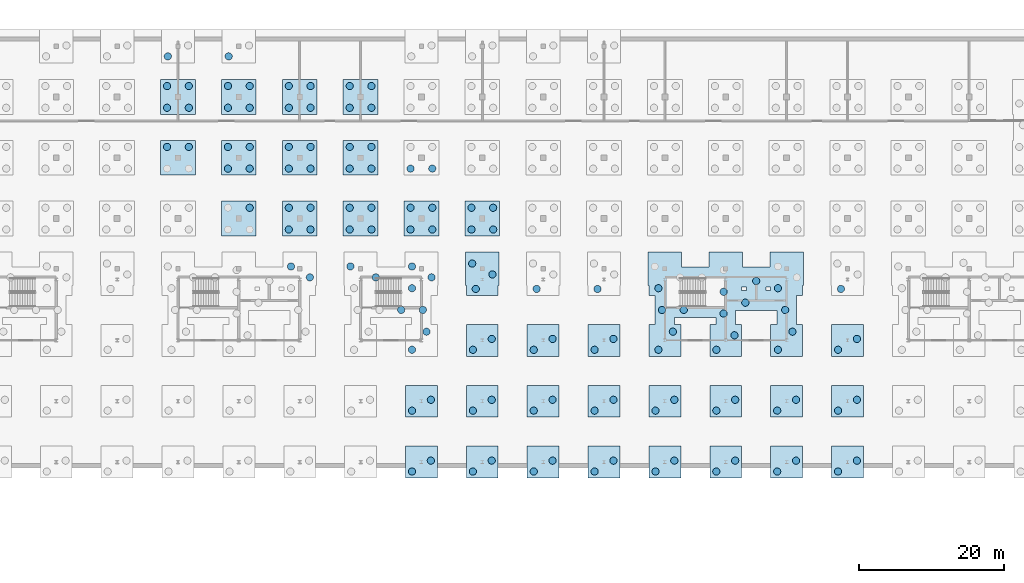
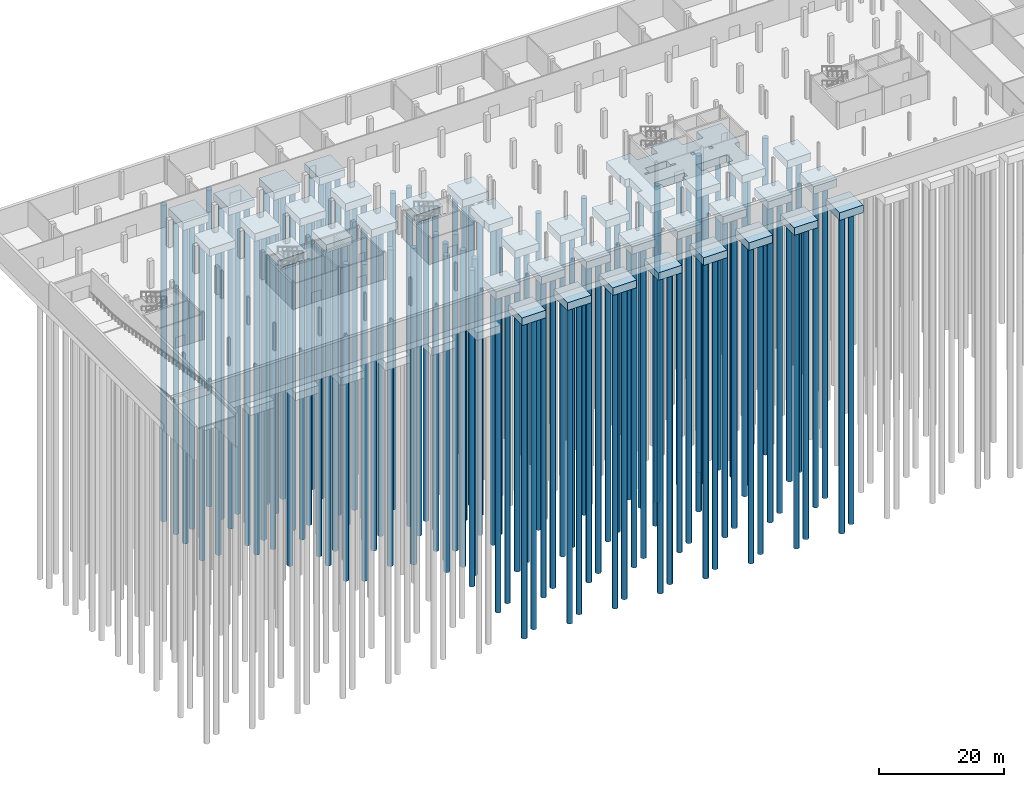
# One storey, part 2 of 29: 123 piles, 35 footings.
"""IFC4 building model written with IfcOpenShell, lengths in metres."""

from ifc_helpers import new_model, si_unit, direction, frame, origin, origin_2d, place, context, subcontext, project, spatial, polyline, circle, outline, extrude, material, type_object, element, save


model = new_model("IFC4")

# Units and contexts
model_context = context("Model", 3, precision=1e-05, world=origin(), true_north=direction((0.0, 1.0)))
body_context = subcontext(model_context, "Body", "Model", "MODEL_VIEW")
ifc_project = project(units=[si_unit("LENGTHUNIT", "METRE"), si_unit("AREAUNIT", "SQUARE_METRE"), si_unit("VOLUMEUNIT", "CUBIC_METRE"), si_unit("PLANEANGLEUNIT", "RADIAN"), si_unit("MASSUNIT", "GRAM", prefix="KILO")], contexts=[model_context])

# Site, building, storey
site_placement = place(None, origin())
site = spatial("IfcSite", under=ifc_project, at=site_placement, CompositionType="ELEMENT")
building_placement = place(site_placement, origin())
building = spatial("IfcBuilding", under=site, at=building_placement, Name="Cresset Court Congress Hotel", CompositionType="ELEMENT")
storey_placement = place(building_placement, frame((0.0, 0.0, -5.39990234375)))
storey = spatial("IfcBuildingStorey", under=building, at=storey_placement, Name="B1", CompositionType="ELEMENT", Elevation=-5.39990234375)

# Piles
ifc_material_1 = material(Name="Concrete C35", Category="concrete")
pile_type = type_object("IfcPileType", Name="Bored pile D1000", PredefinedType="BORED", material=ifc_material_1)
for number, where, z_axis, x_axis, name in (
    (1, (32.10009765625, 43.5, -2.60009765625), (0.0, 0.0, -1.0), (1.0, 0.0, 0.0), "Pile 022-3"),
    (2, (35.10009765625, 43.5, -2.60009765625), (0.0, 0.0, -1.0), (1.0, 0.0, 0.0), "Pile 022-4"),
    (3, (32.10009765625, 48.89990234375, -2.60009765625), (0.0, 0.0, -1.0), (1.0, 0.0, 0.0), "Pile 023-1"),
    (4, (35.10009765625, 48.89990234375, -2.60009765625), (0.0, 0.0, -1.0), (1.0, 0.0, 0.0), "Pile 023-2"),
    (5, (32.10009765625, 51.89990234375, -2.60009765625), (0.0, 0.0, -1.0), (1.0, 0.0, 0.0), "Pile 023-3"),
    (6, (35.10009765625, 51.89990234375, -2.60009765625), (0.0, 0.0, -1.0), (1.0, 0.0, 0.0), "Pile 023-4"),
    (7, (51.800048828125, 25.5, -2.60009765625), (0.0, 0.0, -1.0), (1.0, 0.0, 0.0), "Pile 024-18"),
    (8, (49.199951171875, 27.0, -2.60009765625), (0.0, 0.0, -1.0), (1.0, 0.0, 0.0), "Pile 024-21"),
    (9, (32.199951171875, 56.0, -2.60009765625), (0.0, 0.0, -1.0), (1.0, 0.0, 0.0), "Pile 025-1"),
    (10, (43.5, 35.10009765625, -2.60009765625), (0.0, 0.0, -1.0), (1.0, 0.0, 0.0), "Pile 028-4"),
    (11, (40.5, 40.5, -2.60009765625), (0.0, 0.0, -1.0), (1.0, 0.0, 0.0), "Pile 029-1"),
    (12, (43.5, 40.5, -2.60009765625), (0.0, 0.0, -1.0), (1.0, 0.0, 0.0), "Pile 029-2"),
    (13, (40.5, 43.5, -2.60009765625), (0.0, 0.0, -1.0), (1.0, 0.0, 0.0), "Pile 029-3"),
    (14, (43.5, 43.5, -2.60009765625), (0.0, 0.0, -1.0), (1.0, 0.0, 0.0), "Pile 029-4"),
    (15, (40.5, 48.89990234375, -2.60009765625), (0.0, 0.0, -1.0), (1.0, 0.0, 0.0), "Pile 030-1"),
    (16, (43.5, 48.89990234375, -2.60009765625), (0.0, 0.0, -1.0), (1.0, 0.0, 0.0), "Pile 030-2"),
    (17, (40.5, 51.89990234375, -2.60009765625), (0.0, 0.0, -1.0), (1.0, 0.0, 0.0), "Pile 030-3"),
    (18, (43.5, 51.89990234375, -2.60009765625), (0.0, 0.0, -1.0), (1.0, 0.0, 0.0), "Pile 030-4"),
    (19, (40.60009765625, 56.0, -2.60009765625), (0.0, 0.0, -1.0), (1.0, 0.0, 0.0), "Pile 031-1"),
    (20, (48.89990234375, 32.10009765625, -2.60009765625), (0.0, 0.0, -1.0), (1.0, 0.0, 0.0), "Pile 034-1"),
    (21, (51.89990234375, 32.10009765625, -2.60009765625), (0.0, 0.0, -1.0), (1.0, 0.0, 0.0), "Pile 034-2"),
    (22, (48.89990234375, 35.10009765625, -2.60009765625), (0.0, 0.0, -1.0), (1.0, 0.0, 0.0), "Pile 034-3"),
    (23, (51.89990234375, 35.10009765625, -2.60009765625), (0.0, 0.0, -1.0), (1.0, 0.0, 0.0), "Pile 034-4"),
    (24, (48.89990234375, 40.5, -2.60009765625), (0.0, 0.0, -1.0), (1.0, 0.0, 0.0), "Pile 035-1"),
    (25, (51.89990234375, 40.5, -2.60009765625), (0.0, 0.0, -1.0), (1.0, 0.0, 0.0), "Pile 035-2"),
    (26, (48.89990234375, 43.5, -2.60009765625), (0.0, 0.0, -1.0), (1.0, 0.0, 0.0), "Pile 035-3"),
    (27, (51.89990234375, 43.5, -2.60009765625), (0.0, 0.0, -1.0), (1.0, 0.0, 0.0), "Pile 035-4"),
    (28, (48.89990234375, 48.89990234375, -2.60009765625), (0.0, 0.0, -1.0), (1.0, 0.0, 0.0), "Pile 036-1"),
    (29, (51.89990234375, 48.89990234375, -2.60009765625), (0.0, 0.0, -1.0), (1.0, 0.0, 0.0), "Pile 036-2"),
    (30, (48.89990234375, 51.89990234375, -2.60009765625), (0.0, 0.0, -1.0), (1.0, 0.0, 0.0), "Pile 036-3"),
    (31, (51.89990234375, 51.89990234375, -2.60009765625), (0.0, 0.0, -1.0), (1.0, 0.0, 0.0), "Pile 036-4"),
    (32, (57.300048828125, 32.10009765625, -2.60009765625), (0.0, 0.0, -1.0), (1.0, 0.0, 0.0), "Pile 039-1"),
    (33, (60.300048828125, 32.10009765625, -2.60009765625), (0.0, 0.0, -1.0), (1.0, 0.0, 0.0), "Pile 039-2"),
    (34, (57.300048828125, 35.10009765625, -2.60009765625), (0.0, 0.0, -1.0), (1.0, 0.0, 0.0), "Pile 039-3"),
    (35, (60.300048828125, 35.10009765625, -2.60009765625), (0.0, 0.0, -1.0), (1.0, 0.0, 0.0), "Pile 039-4"),
    (36, (57.300048828125, 40.5, -2.60009765625), (0.0, 0.0, -1.0), (1.0, 0.0, 0.0), "Pile 040-1"),
    (37, (60.300048828125, 40.5, -2.60009765625), (0.0, 0.0, -1.0), (1.0, 0.0, 0.0), "Pile 040-2"),
    (38, (57.300048828125, 43.5, -2.60009765625), (0.0, 0.0, -1.0), (1.0, 0.0, 0.0), "Pile 040-3"),
    (39, (60.300048828125, 43.5, -2.60009765625), (0.0, 0.0, -1.0), (1.0, 0.0, 0.0), "Pile 040-4"),
    (40, (57.300048828125, 48.89990234375, -2.60009765625), (0.0, 0.0, -1.0), (1.0, 0.0, 0.0), "Pile 041-1"),
    (41, (60.300048828125, 48.89990234375, -2.60009765625), (0.0, 0.0, -1.0), (1.0, 0.0, 0.0), "Pile 041-2"),
    (42, (57.300048828125, 51.89990234375, -2.60009765625), (0.0, 0.0, -1.0), (1.0, 0.0, 0.0), "Pile 041-3"),
    (43, (60.300048828125, 51.89990234375, -2.60009765625), (0.0, 0.0, -1.0), (1.0, 0.0, 0.0), "Pile 041-4"),
    (44, (65.89990234375, 15.5, -2.60009765625), (0.0, 0.0, -1.0), (1.0, 0.0, 0.0), "Pile 042-2"),
    (45, (67.89990234375, 18.0, -2.60009765625), (0.0, 0.0, -1.0), (1.0, 0.0, 0.0), "Pile 042-4"),
    (46, (64.39990234375, 21.0, -2.60009765625), (0.0, 0.0, -1.0), (1.0, 0.0, 0.0), "Pile 042-7"),
    (47, (67.39990234375, 21.0, -2.60009765625), (0.0, 0.0, -1.0), (1.0, 0.0, 0.0), "Pile 042-8"),
    (48, (65.89990234375, 24.0, -2.60009765625), (0.0, 0.0, -1.0), (1.0, 0.0, 0.0), "Pile 042-10"),
    (49, (60.89990234375, 25.5, -2.60009765625), (0.0, 0.0, -1.0), (1.0, 0.0, 0.0), "Pile 042-11"),
    (50, (68.60009765625, 25.5, -2.60009765625), (0.0, 0.0, -1.0), (1.0, 0.0, 0.0), "Pile 042-12"),
    (51, (57.39990234375, 27.0, -2.60009765625), (0.0, 0.0, -1.0), (1.0, 0.0, 0.0), "Pile 042-13"),
    (52, (65.89990234375, 27.0, -2.60009765625), (0.0, 0.0, -1.0), (1.0, 0.0, 0.0), "Pile 042-14"),
    (53, (65.699951171875, 32.10009765625, -2.60009765625), (0.0, 0.0, -1.0), (1.0, 0.0, 0.0), "Pile 045-1"),
    (54, (68.699951171875, 32.10009765625, -2.60009765625), (0.0, 0.0, -1.0), (1.0, 0.0, 0.0), "Pile 045-2"),
    (55, (65.699951171875, 35.10009765625, -2.60009765625), (0.0, 0.0, -1.0), (1.0, 0.0, 0.0), "Pile 045-3"),
    (56, (68.699951171875, 35.10009765625, -2.60009765625), (0.0, 0.0, -1.0), (1.0, 0.0, 0.0), "Pile 045-4"),
    (57, (65.699951171875, 40.5, -2.60009765625), (0.0, 0.0, -1.0), (1.0, 0.0, 0.0), "Pile 046-1"),
    (58, (68.699951171875, 40.5, -2.60009765625), (0.0, 0.0, -1.0), (1.0, 0.0, 0.0), "Pile 046-2"),
    (59, (65.89990234375, -1.300048828125, -2.60009765625), (0.0, 0.0, -1.0), (1.0, 0.0, 0.0), "Pile 049-1"),
    (60, (68.5, 0.199951171875, -2.60009765625), (0.0, 0.0, -1.0), (1.0, 0.0, 0.0), "Pile 049-2"),
    (61, (65.89990234375, 7.10009765625, -2.60009765625), (0.0, 0.0, -1.0), (1.0, 0.0, 0.0), "Pile 050-1"),
    (62, (68.5, 8.60009765625, -2.60009765625), (0.0, 0.0, -1.0), (1.0, 0.0, 0.0), "Pile 050-2"),
    (63, (74.10009765625, 32.10009765625, -2.60009765625), (0.0, 0.0, -1.0), (1.0, 0.0, 0.0), "Pile 051-1"),
    (64, (77.10009765625, 32.10009765625, -2.60009765625), (0.0, 0.0, -1.0), (1.0, 0.0, 0.0), "Pile 051-2"),
    (65, (74.10009765625, 35.10009765625, -2.60009765625), (0.0, 0.0, -1.0), (1.0, 0.0, 0.0), "Pile 051-3"),
    (66, (77.10009765625, 35.10009765625, -2.60009765625), (0.0, 0.0, -1.0), (1.0, 0.0, 0.0), "Pile 051-4"),
    (67, (74.699951171875, 23.89990234375, -2.60009765625), (0.0, 0.0, -1.0), (1.0, 0.0, 0.0), "Pile 054-1"),
    (68, (77.0, 25.89990234375, -2.60009765625), (0.0, 0.0, -1.0), (1.0, 0.0, 0.0), "Pile 054-2"),
    (69, (74.199951171875, 27.39990234375, -2.60009765625), (0.0, 0.0, -1.0), (1.0, 0.0, 0.0), "Pile 054-3"),
    (70, (74.300048828125, -1.300048828125, -2.60009765625), (0.0, 0.0, -1.0), (1.0, 0.0, 0.0), "Pile 056-1"),
    (71, (76.89990234375, 0.199951171875, -2.60009765625), (0.0, 0.0, -1.0), (1.0, 0.0, 0.0), "Pile 056-2"),
    (72, (74.300048828125, 7.10009765625, -2.60009765625), (0.0, 0.0, -1.0), (1.0, 0.0, 0.0), "Pile 057-1"),
    (73, (76.89990234375, 8.60009765625, -2.60009765625), (0.0, 0.0, -1.0), (1.0, 0.0, 0.0), "Pile 057-2"),
    (74, (74.300048828125, 15.5, -2.60009765625), (0.0, 0.0, -1.0), (1.0, 0.0, 0.0), "Pile 058-1"),
    (75, (76.89990234375, 17.0, -2.60009765625), (0.0, 0.0, -1.0), (1.0, 0.0, 0.0), "Pile 058-2"),
    (76, (83.10009765625, 23.89990234375, -2.60009765625), (0.0, 0.0, -1.0), (1.0, 0.0, 0.0), "Pile 062-1"),
    (77, (82.699951171875, -1.300048828125, -2.60009765625), (0.0, 0.0, -1.0), (1.0, 0.0, 0.0), "Pile 064-1"),
    (78, (85.300048828125, 0.199951171875, -2.60009765625), (0.0, 0.0, -1.0), (1.0, 0.0, 0.0), "Pile 064-2"),
    (79, (82.699951171875, 7.10009765625, -2.60009765625), (0.0, 0.0, -1.0), (1.0, 0.0, 0.0), "Pile 065-1"),
    (80, (85.300048828125, 8.60009765625, -2.60009765625), (0.0, 0.0, -1.0), (1.0, 0.0, 0.0), "Pile 065-2"),
    (81, (82.699951171875, 15.5, -2.60009765625), (0.0, 0.0, -1.0), (1.0, 0.0, 0.0), "Pile 066-1"),
    (82, (85.300048828125, 17.0, -2.60009765625), (0.0, 0.0, -1.0), (1.0, 0.0, 0.0), "Pile 066-2"),
    (83, (91.5, 23.89990234375, -2.60009765625), (0.0, 0.0, -1.0), (1.0, 0.0, 0.0), "Pile 070-1"),
    (84, (91.10009765625, -1.300048828125, -2.60009765625), (0.0, 0.0, -1.0), (1.0, 0.0, 0.0), "Pile 072-1"),
    (85, (93.699951171875, 0.199951171875, -2.60009765625), (0.0, 0.0, -1.0), (1.0, 0.0, 0.0), "Pile 072-2"),
    (86, (91.10009765625, 7.10009765625, -2.60009765625), (0.0, 0.0, -1.0), (1.0, 0.0, 0.0), "Pile 073-1"),
    (87, (93.699951171875, 8.60009765625, -2.60009765625), (0.0, 0.0, -1.0), (1.0, 0.0, 0.0), "Pile 073-2"),
    (88, (91.10009765625, 15.5, -2.60009765625), (0.0, 0.0, -1.0), (1.0, 0.0, 0.0), "Pile 074-1"),
    (89, (93.699951171875, 17.0, -2.60009765625), (0.0, 0.0, -1.0), (1.0, 0.0, 0.0), "Pile 074-2"),
    (90, (99.89990234375, 15.5, -2.60009765625), (0.0, 0.0, -1.0), (1.0, 0.0, 0.0), "Pile 078-1"),
    (91, (107.89990234375, 15.5, -2.60009765625), (0.0, 0.0, -1.0), (1.0, 0.0, 0.0), "Pile 078-2"),
    (92, (116.39990234375, 15.5, -2.60009765625), (0.0, 0.0, -1.0), (1.0, 0.0, 0.0), "Pile 078-3"),
    (93, (110.39990234375, 17.5, -2.60009765625), (0.0, 0.0, -1.0), (1.0, 0.0, 0.0), "Pile 078-4"),
    (94, (101.89990234375, 18.0, -2.60009765625), (0.0, 0.0, -1.0), (1.0, 0.0, 0.0), "Pile 078-5"),
    (95, (118.39990234375, 18.0, -2.60009765625), (0.0, 0.0, -1.0), (1.0, 0.0, 0.0), "Pile 078-6"),
    (96, (108.89990234375, 20.5, -2.60009765625), (0.0, 0.0, -1.0), (1.0, 0.0, 0.0), "Pile 078-7"),
    (97, (100.39990234375, 21.0, -2.60009765625), (0.0, 0.0, -1.0), (1.0, 0.0, 0.0), "Pile 078-8"),
    (98, (103.39990234375, 21.0, -2.60009765625), (0.0, 0.0, -1.0), (1.0, 0.0, 0.0), "Pile 078-9"),
    (99, (117.39990234375, 21.0, -2.60009765625), (0.0, 0.0, -1.0), (1.0, 0.0, 0.0), "Pile 078-10"),
    (100, (111.89990234375, 22.0, -2.60009765625), (0.0, 0.0, -1.0), (1.0, 0.0, 0.0), "Pile 078-11"),
    (101, (108.89990234375, 23.5, -2.60009765625), (0.0, 0.0, -1.0), (1.0, 0.0, 0.0), "Pile 078-12"),
    (102, (99.89990234375, 24.0, -2.60009765625), (0.0, 0.0, -1.0), (1.0, 0.0, 0.0), "Pile 078-13"),
    (103, (116.39990234375, 24.0, -2.60009765625), (0.0, 0.0, -1.0), (1.0, 0.0, 0.0), "Pile 078-14"),
    (104, (113.39990234375, 25.0, -2.60009765625), (0.0, 0.0, -1.0), (1.0, 0.0, 0.0), "Pile 078-15"),
    (105, (99.5, -1.300048828125, -2.60009765625), (0.0, 0.0, -1.0), (1.0, 0.0, 0.0), "Pile 079-1"),
    (106, (102.10009765625, 0.199951171875, -2.60009765625), (0.0, 0.0, -1.0), (1.0, 0.0, 0.0), "Pile 079-2"),
    (107, (99.5, 7.10009765625, -2.60009765625), (0.0, 0.0, -1.0), (1.0, 0.0, 0.0), "Pile 080-1"),
    (108, (102.10009765625, 8.60009765625, -2.60009765625), (0.0, 0.0, -1.0), (1.0, 0.0, 0.0), "Pile 080-2"),
    (109, (107.89990234375, -1.300048828125, -2.60009765625), (0.0, 0.0, -1.0), (1.0, 0.0, 0.0), "Pile 084-1"),
    (110, (110.5, 0.199951171875, -2.60009765625), (0.0, 0.0, -1.0), (1.0, 0.0, 0.0), "Pile 084-2"),
    (111, (107.89990234375, 7.10009765625, -2.60009765625), (0.0, 0.0, -1.0), (1.0, 0.0, 0.0), "Pile 085-1"),
    (112, (110.5, 8.60009765625, -2.60009765625), (0.0, 0.0, -1.0), (1.0, 0.0, 0.0), "Pile 085-2"),
    (113, (116.300048828125, -1.300048828125, -2.60009765625), (0.0, 0.0, -1.0), (1.0, 0.0, 0.0), "Pile 089-1"),
    (114, (118.89990234375, 0.199951171875, -2.60009765625), (0.0, 0.0, -1.0), (1.0, 0.0, 0.0), "Pile 089-2"),
    (115, (116.300048828125, 7.10009765625, -2.60009765625), (0.0, 0.0, -1.0), (1.0, 0.0, 0.0), "Pile 090-1"),
    (116, (118.89990234375, 8.60009765625, -2.60009765625), (0.0, 0.0, -1.0), (1.0, 0.0, 0.0), "Pile 090-2"),
    (117, (125.10009765625, 23.89990234375, -2.60009765625), (0.0, 0.0, -1.0), (1.0, 0.0, 0.0), "Pile 094-1"),
    (118, (124.699951171875, -1.300048828125, -2.60009765625), (0.0, 0.0, -1.0), (1.0, 0.0, 0.0), "Pile 095-1"),
    (119, (127.300048828125, 0.199951171875, -2.60009765625), (0.0, 0.0, -1.0), (1.0, 0.0, 0.0), "Pile 095-2"),
    (120, (124.699951171875, 7.10009765625, -2.60009765625), (0.0, 0.0, -1.0), (1.0, 0.0, 0.0), "Pile 096-1"),
    (121, (127.300048828125, 8.60009765625, -2.60009765625), (0.0, 0.0, -1.0), (1.0, 0.0, 0.0), "Pile 096-2"),
    (122, (124.699951171875, 15.5, -2.60009765625), (0.0, 0.0, -1.0), (1.0, 0.0, 0.0), "Pile 097-1"),
    (123, (127.300048828125, 17.0, -2.60009765625), (0.0, 0.0, -1.0), (1.0, 0.0, 0.0), "Pile 097-2"),
):
    element("IfcPile", number, at=place(storey_placement, frame(where, z_axis=z_axis, x_axis=x_axis)), inside=storey, type_object=pile_type, Name=name, PredefinedType="BORED", context=body_context, shape_type="SweptSolid", body=[
        extrude(circle(Radius=0.5, at=origin_2d()), origin(), (0.0, 0.0, 1.0), 62.0),
    ])

# Footings
ifc_material_2 = material(Name="Concrete C35", Category="concrete")
footing_type_1 = type_object("IfcFootingType", Name="Pile cap 4.4x4.4, 2 piles", PredefinedType="PILE_CAP", material=ifc_material_2)
footing_1_placement = place(storey_placement, frame((0.0, 0.0, -2.7001953125)))
element("IfcFooting", 124, at=footing_1_placement, inside=storey, type_object=footing_type_1, Name="Pile cap PC049", PredefinedType="PILE_CAP", context=body_context, shape_type="SweptSolid", body=[
    extrude(outline(polyline([(69.39990234375, 2.199951171875), (69.39990234375, -2.199951171875), (65.0, -2.199951171875), (65.0, 2.199951171875), (69.39990234375, 2.199951171875)])), origin(), (0.0, 0.0, 1.0), 1.5),
])
footing_2_placement = place(storey_placement, frame((0.0, 0.0, -2.7001953125)))
element("IfcFooting", 125, at=footing_2_placement, inside=storey, type_object=footing_type_1, Name="Pile cap PC050", PredefinedType="PILE_CAP", context=body_context, shape_type="SweptSolid", body=[
    extrude(outline(polyline([(69.39990234375, 6.199951171875), (65.0, 6.199951171875), (65.0, 10.60009765625), (69.39990234375, 10.60009765625), (69.39990234375, 6.199951171875)])), origin(), (0.0, 0.0, 1.0), 1.5),
])
footing_3_placement = place(storey_placement, frame((0.0, 0.0, -2.7001953125)))
element("IfcFooting", 126, at=footing_3_placement, inside=storey, type_object=footing_type_1, Name="Pile cap PC056", PredefinedType="PILE_CAP", context=body_context, shape_type="SweptSolid", body=[
    extrude(outline(polyline([(77.800048828125, -2.199951171875), (73.39990234375, -2.199951171875), (73.39990234375, 2.199951171875), (77.800048828125, 2.199951171875), (77.800048828125, -2.199951171875)])), origin(), (0.0, 0.0, 1.0), 1.5),
])
footing_4_placement = place(storey_placement, frame((0.0, 0.0, -2.7001953125)))
element("IfcFooting", 127, at=footing_4_placement, inside=storey, type_object=footing_type_1, Name="Pile cap PC057", PredefinedType="PILE_CAP", context=body_context, shape_type="SweptSolid", body=[
    extrude(outline(polyline([(77.800048828125, 10.60009765625), (77.800048828125, 6.199951171875), (73.39990234375, 6.199951171875), (73.39990234375, 10.60009765625), (77.800048828125, 10.60009765625)])), origin(), (0.0, 0.0, 1.0), 1.5),
])
footing_5_placement = place(storey_placement, frame((0.0, 0.0, -2.7001953125)))
element("IfcFooting", 128, at=footing_5_placement, inside=storey, type_object=footing_type_1, Name="Pile cap PC058", PredefinedType="PILE_CAP", context=body_context, shape_type="SweptSolid", body=[
    extrude(outline(polyline([(77.800048828125, 14.60009765625), (73.39990234375, 14.60009765625), (73.39990234375, 19.0), (77.800048828125, 19.0), (77.800048828125, 14.60009765625)])), origin(), (0.0, 0.0, 1.0), 1.5),
])
footing_6_placement = place(storey_placement, frame((0.0, 0.0, -2.7001953125)))
element("IfcFooting", 129, at=footing_6_placement, inside=storey, type_object=footing_type_1, Name="Pile cap PC064", PredefinedType="PILE_CAP", context=body_context, shape_type="SweptSolid", body=[
    extrude(outline(polyline([(86.199951171875, -2.199951171875), (81.800048828125, -2.199951171875), (81.800048828125, 2.199951171875), (86.199951171875, 2.199951171875), (86.199951171875, -2.199951171875)])), origin(), (0.0, 0.0, 1.0), 1.5),
])
footing_7_placement = place(storey_placement, frame((0.0, 0.0, -2.7001953125)))
element("IfcFooting", 130, at=footing_7_placement, inside=storey, type_object=footing_type_1, Name="Pile cap PC065", PredefinedType="PILE_CAP", context=body_context, shape_type="SweptSolid", body=[
    extrude(outline(polyline([(86.199951171875, 6.199951171875), (81.800048828125, 6.199951171875), (81.800048828125, 10.60009765625), (86.199951171875, 10.60009765625), (86.199951171875, 6.199951171875)])), origin(), (0.0, 0.0, 1.0), 1.5),
])
footing_8_placement = place(storey_placement, frame((0.0, 0.0, -2.7001953125)))
element("IfcFooting", 131, at=footing_8_placement, inside=storey, type_object=footing_type_1, Name="Pile cap PC066", PredefinedType="PILE_CAP", context=body_context, shape_type="SweptSolid", body=[
    extrude(outline(polyline([(86.199951171875, 14.60009765625), (81.800048828125, 14.60009765625), (81.800048828125, 19.0), (86.199951171875, 19.0), (86.199951171875, 14.60009765625)])), origin(), (0.0, 0.0, 1.0), 1.5),
])
footing_9_placement = place(storey_placement, frame((0.0, 0.0, -2.7001953125)))
element("IfcFooting", 132, at=footing_9_placement, inside=storey, type_object=footing_type_1, Name="Pile cap PC072", PredefinedType="PILE_CAP", context=body_context, shape_type="SweptSolid", body=[
    extrude(outline(polyline([(94.60009765625, -2.199951171875), (90.199951171875, -2.199951171875), (90.199951171875, 2.199951171875), (94.60009765625, 2.199951171875), (94.60009765625, -2.199951171875)])), origin(), (0.0, 0.0, 1.0), 1.5),
])
footing_10_placement = place(storey_placement, frame((0.0, 0.0, -2.7001953125)))
element("IfcFooting", 133, at=footing_10_placement, inside=storey, type_object=footing_type_1, Name="Pile cap PC073", PredefinedType="PILE_CAP", context=body_context, shape_type="SweptSolid", body=[
    extrude(outline(polyline([(94.60009765625, 6.199951171875), (90.199951171875, 6.199951171875), (90.199951171875, 10.60009765625), (94.60009765625, 10.60009765625), (94.60009765625, 6.199951171875)])), origin(), (0.0, 0.0, 1.0), 1.5),
])
footing_11_placement = place(storey_placement, frame((0.0, 0.0, -2.7001953125)))
element("IfcFooting", 134, at=footing_11_placement, inside=storey, type_object=footing_type_1, Name="Pile cap PC074", PredefinedType="PILE_CAP", context=body_context, shape_type="SweptSolid", body=[
    extrude(outline(polyline([(94.60009765625, 19.0), (94.60009765625, 14.60009765625), (90.199951171875, 14.60009765625), (90.199951171875, 19.0), (94.60009765625, 19.0)])), origin(), (0.0, 0.0, 1.0), 1.5),
])
footing_12_placement = place(storey_placement, frame((0.0, 0.0, -2.7001953125)))
element("IfcFooting", 135, at=footing_12_placement, inside=storey, type_object=footing_type_1, Name="Pile cap PC079", PredefinedType="PILE_CAP", context=body_context, shape_type="SweptSolid", body=[
    extrude(outline(polyline([(103.0, -2.199951171875), (98.60009765625, -2.199951171875), (98.60009765625, 2.199951171875), (103.0, 2.199951171875), (103.0, -2.199951171875)])), origin(), (0.0, 0.0, 1.0), 1.5),
])
footing_13_placement = place(storey_placement, frame((0.0, 0.0, -2.7001953125)))
element("IfcFooting", 136, at=footing_13_placement, inside=storey, type_object=footing_type_1, Name="Pile cap PC080", PredefinedType="PILE_CAP", context=body_context, shape_type="SweptSolid", body=[
    extrude(outline(polyline([(103.0, 6.199951171875), (98.60009765625, 6.199951171875), (98.60009765625, 10.60009765625), (103.0, 10.60009765625), (103.0, 6.199951171875)])), origin(), (0.0, 0.0, 1.0), 1.5),
])
footing_14_placement = place(storey_placement, frame((0.0, 0.0, -2.7001953125)))
element("IfcFooting", 137, at=footing_14_placement, inside=storey, type_object=footing_type_1, Name="Pile cap PC084", PredefinedType="PILE_CAP", context=body_context, shape_type="SweptSolid", body=[
    extrude(outline(polyline([(111.39990234375, -2.199951171875), (107.0, -2.199951171875), (107.0, 2.199951171875), (111.39990234375, 2.199951171875), (111.39990234375, -2.199951171875)])), origin(), (0.0, 0.0, 1.0), 1.5),
])
footing_15_placement = place(storey_placement, frame((0.0, 0.0, -2.7001953125)))
element("IfcFooting", 138, at=footing_15_placement, inside=storey, type_object=footing_type_1, Name="Pile cap PC085", PredefinedType="PILE_CAP", context=body_context, shape_type="SweptSolid", body=[
    extrude(outline(polyline([(111.39990234375, 6.199951171875), (107.0, 6.199951171875), (107.0, 10.60009765625), (111.39990234375, 10.60009765625), (111.39990234375, 6.199951171875)])), origin(), (0.0, 0.0, 1.0), 1.5),
])
footing_16_placement = place(storey_placement, frame((0.0, 0.0, -2.7001953125)))
element("IfcFooting", 139, at=footing_16_placement, inside=storey, type_object=footing_type_1, Name="Pile cap PC089", PredefinedType="PILE_CAP", context=body_context, shape_type="SweptSolid", body=[
    extrude(outline(polyline([(119.800048828125, -2.199951171875), (115.39990234375, -2.199951171875), (115.39990234375, 2.199951171875), (119.800048828125, 2.199951171875), (119.800048828125, -2.199951171875)])), origin(), (0.0, 0.0, 1.0), 1.5),
])
footing_17_placement = place(storey_placement, frame((0.0, 0.0, -2.7001953125)))
element("IfcFooting", 140, at=footing_17_placement, inside=storey, type_object=footing_type_1, Name="Pile cap PC090", PredefinedType="PILE_CAP", context=body_context, shape_type="SweptSolid", body=[
    extrude(outline(polyline([(119.800048828125, 10.60009765625), (119.800048828125, 6.199951171875), (115.39990234375, 6.199951171875), (115.39990234375, 10.60009765625), (119.800048828125, 10.60009765625)])), origin(), (0.0, 0.0, 1.0), 1.5),
])
footing_18_placement = place(storey_placement, frame((0.0, 0.0, -2.7001953125)))
element("IfcFooting", 141, at=footing_18_placement, inside=storey, type_object=footing_type_1, Name="Pile cap PC095", PredefinedType="PILE_CAP", context=body_context, shape_type="SweptSolid", body=[
    extrude(outline(polyline([(128.199951171875, -2.199951171875), (123.800048828125, -2.199951171875), (123.800048828125, 2.199951171875), (128.199951171875, 2.199951171875), (128.199951171875, -2.199951171875)])), origin(), (0.0, 0.0, 1.0), 1.5),
])
footing_19_placement = place(storey_placement, frame((0.0, 0.0, -2.7001953125)))
element("IfcFooting", 142, at=footing_19_placement, inside=storey, type_object=footing_type_1, Name="Pile cap PC096", PredefinedType="PILE_CAP", context=body_context, shape_type="SweptSolid", body=[
    extrude(outline(polyline([(128.199951171875, 6.199951171875), (123.800048828125, 6.199951171875), (123.800048828125, 10.60009765625), (128.199951171875, 10.60009765625), (128.199951171875, 6.199951171875)])), origin(), (0.0, 0.0, 1.0), 1.5),
])
footing_20_placement = place(storey_placement, frame((0.0, 0.0, -2.7001953125)))
element("IfcFooting", 143, at=footing_20_placement, inside=storey, type_object=footing_type_1, Name="Pile cap PC097", PredefinedType="PILE_CAP", context=body_context, shape_type="SweptSolid", body=[
    extrude(outline(polyline([(128.199951171875, 19.0), (128.199951171875, 14.60009765625), (123.800048828125, 14.60009765625), (123.800048828125, 19.0), (128.199951171875, 19.0)])), origin(), (0.0, 0.0, 1.0), 1.5),
])
ifc_material_3 = material(Name="Concrete C35", Category="concrete")
footing_type_2 = type_object("IfcFootingType", Name="Pile cap 4.8x4.8, 4 piles", PredefinedType="PILE_CAP", material=ifc_material_3)
footing_21_placement = place(storey_placement, frame((0.0, 0.0, -2.7001953125)))
element("IfcFooting", 144, at=footing_21_placement, inside=storey, type_object=footing_type_2, Name="Pile cap PC022", PredefinedType="PILE_CAP", context=body_context, shape_type="SweptSolid", body=[
    extrude(outline(polyline([(36.0, 39.60009765625), (31.199951171875, 39.60009765625), (31.199951171875, 44.39990234375), (36.0, 44.39990234375), (36.0, 39.60009765625)])), origin(), (0.0, 0.0, 1.0), 1.5),
])
footing_22_placement = place(storey_placement, frame((0.0, 0.0, -2.7001953125)))
element("IfcFooting", 145, at=footing_22_placement, inside=storey, type_object=footing_type_2, Name="Pile cap PC023", PredefinedType="PILE_CAP", context=body_context, shape_type="SweptSolid", body=[
    extrude(outline(polyline([(36.0, 48.0), (31.199951171875, 48.0), (31.199951171875, 52.800048828125), (36.0, 52.800048828125), (36.0, 48.0)])), origin(), (0.0, 0.0, 1.0), 1.5),
])
footing_23_placement = place(storey_placement, frame((0.0, 0.0, -2.7001953125)))
element("IfcFooting", 146, at=footing_23_placement, inside=storey, type_object=footing_type_2, Name="Pile cap PC028", PredefinedType="PILE_CAP", context=body_context, shape_type="SweptSolid", body=[
    extrude(outline(polyline([(44.39990234375, 31.199951171875), (39.60009765625, 31.199951171875), (39.60009765625, 36.0), (44.39990234375, 36.0), (44.39990234375, 31.199951171875)])), origin(), (0.0, 0.0, 1.0), 1.5),
])
footing_24_placement = place(storey_placement, frame((0.0, 0.0, -2.7001953125)))
element("IfcFooting", 147, at=footing_24_placement, inside=storey, type_object=footing_type_2, Name="Pile cap PC029", PredefinedType="PILE_CAP", context=body_context, shape_type="SweptSolid", body=[
    extrude(outline(polyline([(44.39990234375, 39.60009765625), (39.60009765625, 39.60009765625), (39.60009765625, 44.39990234375), (44.39990234375, 44.39990234375), (44.39990234375, 39.60009765625)])), origin(), (0.0, 0.0, 1.0), 1.5),
])
footing_25_placement = place(storey_placement, frame((0.0, 0.0, -2.7001953125)))
element("IfcFooting", 148, at=footing_25_placement, inside=storey, type_object=footing_type_2, Name="Pile cap PC030", PredefinedType="PILE_CAP", context=body_context, shape_type="SweptSolid", body=[
    extrude(outline(polyline([(44.39990234375, 52.800048828125), (44.39990234375, 48.0), (39.60009765625, 48.0), (39.60009765625, 52.800048828125), (44.39990234375, 52.800048828125)])), origin(), (0.0, 0.0, 1.0), 1.5),
])
footing_26_placement = place(storey_placement, frame((0.0, 0.0, -2.7001953125)))
element("IfcFooting", 149, at=footing_26_placement, inside=storey, type_object=footing_type_2, Name="Pile cap PC034", PredefinedType="PILE_CAP", context=body_context, shape_type="SweptSolid", body=[
    extrude(outline(polyline([(52.800048828125, 36.0), (52.800048828125, 31.199951171875), (48.0, 31.199951171875), (48.0, 36.0), (52.800048828125, 36.0)])), origin(), (0.0, 0.0, 1.0), 1.5),
])
footing_27_placement = place(storey_placement, frame((0.0, 0.0, -2.7001953125)))
element("IfcFooting", 150, at=footing_27_placement, inside=storey, type_object=footing_type_2, Name="Pile cap PC035", PredefinedType="PILE_CAP", context=body_context, shape_type="SweptSolid", body=[
    extrude(outline(polyline([(52.800048828125, 39.60009765625), (48.0, 39.60009765625), (48.0, 44.39990234375), (52.800048828125, 44.39990234375), (52.800048828125, 39.60009765625)])), origin(), (0.0, 0.0, 1.0), 1.5),
])
footing_28_placement = place(storey_placement, frame((0.0, 0.0, -2.7001953125)))
element("IfcFooting", 151, at=footing_28_placement, inside=storey, type_object=footing_type_2, Name="Pile cap PC036", PredefinedType="PILE_CAP", context=body_context, shape_type="SweptSolid", body=[
    extrude(outline(polyline([(52.800048828125, 48.0), (48.0, 48.0), (48.0, 52.800048828125), (52.800048828125, 52.800048828125), (52.800048828125, 48.0)])), origin(), (0.0, 0.0, 1.0), 1.5),
])
footing_29_placement = place(storey_placement, frame((0.0, 0.0, -2.7001953125)))
element("IfcFooting", 152, at=footing_29_placement, inside=storey, type_object=footing_type_2, Name="Pile cap PC039", PredefinedType="PILE_CAP", context=body_context, shape_type="SweptSolid", body=[
    extrude(outline(polyline([(61.199951171875, 31.199951171875), (56.39990234375, 31.199951171875), (56.39990234375, 36.0), (61.199951171875, 36.0), (61.199951171875, 31.199951171875)])), origin(), (0.0, 0.0, 1.0), 1.5),
])
footing_30_placement = place(storey_placement, frame((0.0, 0.0, -2.7001953125)))
element("IfcFooting", 153, at=footing_30_placement, inside=storey, type_object=footing_type_2, Name="Pile cap PC040", PredefinedType="PILE_CAP", context=body_context, shape_type="SweptSolid", body=[
    extrude(outline(polyline([(61.199951171875, 39.60009765625), (56.39990234375, 39.60009765625), (56.39990234375, 44.39990234375), (61.199951171875, 44.39990234375), (61.199951171875, 39.60009765625)])), origin(), (0.0, 0.0, 1.0), 1.5),
])
footing_31_placement = place(storey_placement, frame((0.0, 0.0, -2.7001953125)))
element("IfcFooting", 154, at=footing_31_placement, inside=storey, type_object=footing_type_2, Name="Pile cap PC041", PredefinedType="PILE_CAP", context=body_context, shape_type="SweptSolid", body=[
    extrude(outline(polyline([(61.199951171875, 48.0), (56.39990234375, 48.0), (56.39990234375, 52.800048828125), (61.199951171875, 52.800048828125), (61.199951171875, 48.0)])), origin(), (0.0, 0.0, 1.0), 1.5),
])
footing_32_placement = place(storey_placement, frame((0.0, 0.0, -2.7001953125)))
element("IfcFooting", 155, at=footing_32_placement, inside=storey, type_object=footing_type_2, Name="Pile cap PC045", PredefinedType="PILE_CAP", context=body_context, shape_type="SweptSolid", body=[
    extrude(outline(polyline([(69.60009765625, 31.199951171875), (64.800048828125, 31.199951171875), (64.800048828125, 36.0), (69.60009765625, 36.0), (69.60009765625, 31.199951171875)])), origin(), (0.0, 0.0, 1.0), 1.5),
])
footing_33_placement = place(storey_placement, frame((0.0, 0.0, -2.7001953125)))
element("IfcFooting", 156, at=footing_33_placement, inside=storey, type_object=footing_type_2, Name="Pile cap PC051", PredefinedType="PILE_CAP", context=body_context, shape_type="SweptSolid", body=[
    extrude(outline(polyline([(78.0, 31.199951171875), (73.199951171875, 31.199951171875), (73.199951171875, 36.0), (78.0, 36.0), (78.0, 31.199951171875)])), origin(), (0.0, 0.0, 1.0), 1.5),
])
ifc_material_4 = material(Name="Concrete C35", Category="concrete")
footing_type_3 = type_object("IfcFootingType", Name="Pile cap group 224.2 m2, 21 piles", PredefinedType="PILE_CAP", material=ifc_material_4)
footing_34_placement = place(storey_placement, frame((0.0, 0.0, -2.7001953125)))
element("IfcFooting", 157, at=footing_34_placement, inside=storey, type_object=footing_type_3, Name="Pile cap PC078", PredefinedType="PILE_CAP", context=body_context, shape_type="SweptSolid", body=[
    extrude(outline(polyline([(110.550048828125, 19.0), (111.39990234375, 19.0), (111.39990234375, 14.60009765625), (107.0, 14.60009765625), (107.0, 19.0), (107.85009765625, 19.0), (107.85009765625, 19.949951171875), (102.14990234375, 19.949951171875), (102.14990234375, 19.0), (103.0, 19.0), (103.0, 14.60009765625), (98.60009765625, 14.60009765625), (98.60009765625, 19.0), (99.449951171875, 19.0), (99.449951171875, 23.0), (98.60009765625, 23.0), (98.60009765625, 24.39990234375), (98.5, 24.39990234375), (98.5, 29.0), (103.10009765625, 29.0), (103.10009765625, 26.89990234375), (106.89990234375, 26.89990234375), (106.89990234375, 29.0), (111.5, 29.0), (111.5, 26.89990234375), (115.300048828125, 26.89990234375), (115.300048828125, 29.0), (119.89990234375, 29.0), (119.89990234375, 24.39990234375), (119.800048828125, 24.39990234375), (119.800048828125, 23.0), (118.949951171875, 23.0), (118.949951171875, 19.0), (119.800048828125, 19.0), (119.800048828125, 14.60009765625), (115.39990234375, 14.60009765625), (115.39990234375, 19.0), (116.25, 19.0), (116.25, 20.949951171875), (110.550048828125, 20.949951171875), (110.550048828125, 19.0)]), holes=[polyline([(114.75, 23.64990234375), (115.39990234375, 23.64990234375), (115.39990234375, 24.199951171875), (114.75, 24.199951171875), (114.75, 23.64990234375)]), polyline([(111.39990234375, 23.64990234375), (112.050048828125, 23.64990234375), (112.050048828125, 24.199951171875), (111.39990234375, 24.199951171875), (111.39990234375, 23.64990234375)]), polyline([(103.0, 23.0), (102.14990234375, 23.0), (102.14990234375, 22.64990234375), (107.85009765625, 22.64990234375), (107.85009765625, 23.0), (107.0, 23.0), (107.0, 24.199951171875), (103.0, 24.199951171875), (103.0, 23.0)])]), origin(), (0.0, 0.0, 1.0), 1.5),
])
ifc_material_5 = material(Name="Concrete C35", Category="concrete")
footing_type_4 = type_object("IfcFootingType", Name="Pile cap group 27.3 m2, 3 piles", PredefinedType="PILE_CAP", material=ifc_material_5)
footing_35_placement = place(storey_placement, frame((0.0, 0.0, -2.7001953125)))
element("IfcFooting", 158, at=footing_35_placement, inside=storey, type_object=footing_type_4, Name="Pile cap PC054", PredefinedType="PILE_CAP", context=body_context, shape_type="SweptSolid", body=[
    extrude(outline(polyline([(77.800048828125, 23.0), (73.39990234375, 23.0), (73.39990234375, 24.39990234375), (73.300048828125, 24.39990234375), (73.300048828125, 29.0), (77.89990234375, 29.0), (77.89990234375, 24.39990234375), (77.800048828125, 24.39990234375), (77.800048828125, 23.0)])), origin(), (0.0, 0.0, 1.0), 1.5),
])

save(model, "model.ifc")
